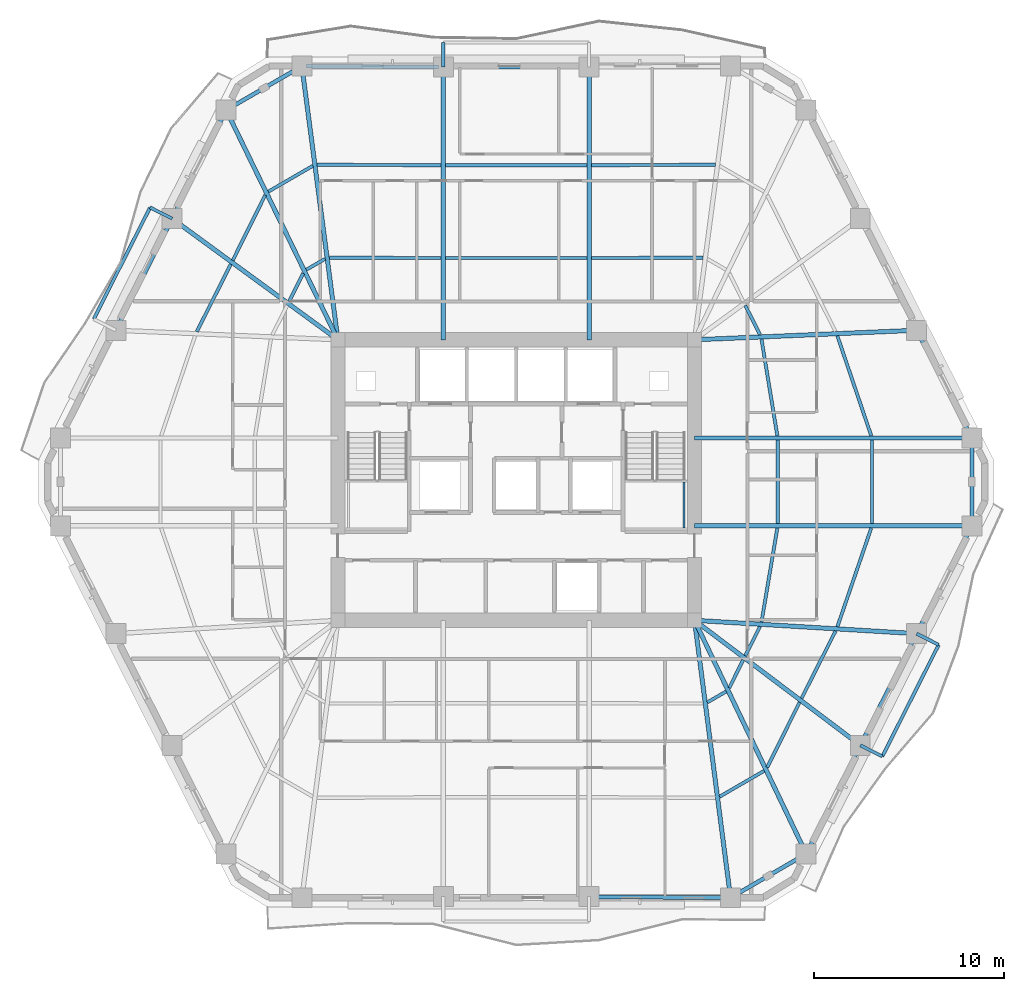
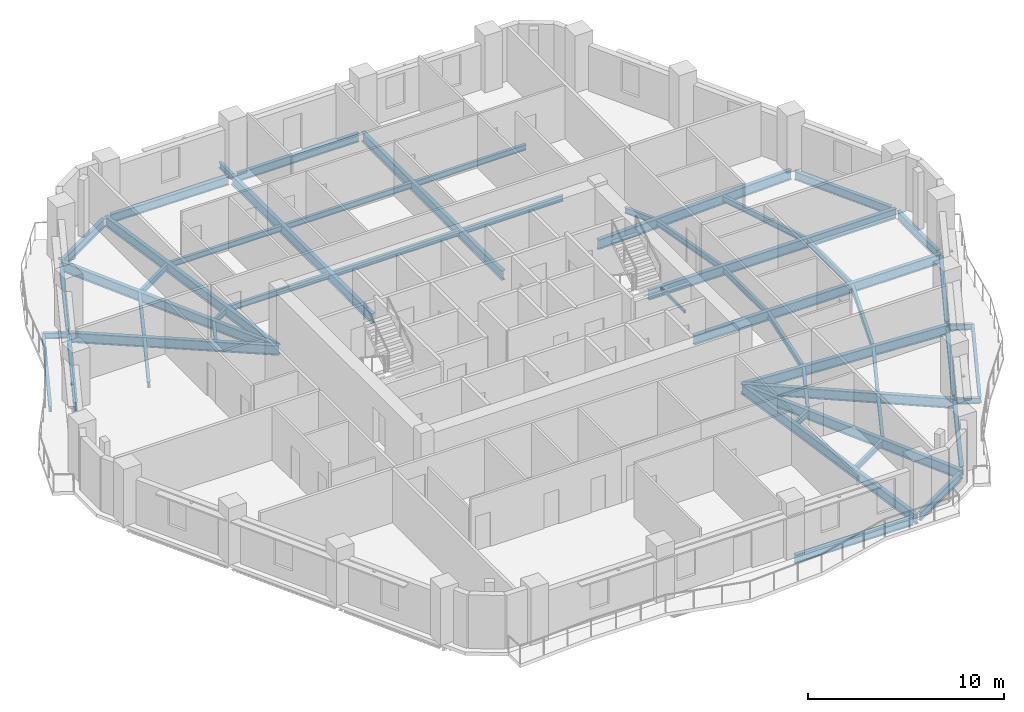
# One storey, part 2 of 12: 55 beams.
"""IFC4 building model written with IfcOpenShell, lengths in metres."""

import ifcopenshell
import ifcopenshell.guid

model = None  # the IFC model being written
_history = None  # IfcOwnerHistory: only IFC2X3 demands one
_inside = {}  # id of a spatial element -> (the spatial element, [elements in it])
_under = {}  # id of a project, library or spatial element -> (it, [spatial elements below it])
_declared = {}  # id of a project -> (the project, [libraries it declares])
_typed = {}  # id of a type object -> (the type object, [elements of that type])
_made_of = {}  # id of a material, layer set ... -> (it, [elements and type objects made of it])


def new_model(schema):
    """Start an empty IFC model of exactly this schema.

    Asked for "IFC4X3", IfcOpenShell would pick the latest addendum, in which some entities
    have other attributes; the version numbers below select the first issue.
    IFC2X3 requires an IfcOwnerHistory on every rooted entity: one is made here for all.
    """
    global model, _history
    if schema == "IFC4X3":
        model = ifcopenshell.file(schema_version=(4, 3, 0, 0))
    else:
        model = ifcopenshell.file(schema=schema)
    _inside.clear()
    _under.clear()
    _declared.clear()
    _typed.clear()
    _made_of.clear()
    _history = None
    if model.schema == "IFC2X3":
        org = make("IfcOrganization", Name="unknown")
        user = make(
            "IfcPersonAndOrganization",
            ThePerson=make("IfcPerson", FamilyName="unknown"),
            TheOrganization=org,
        )
        app = make(
            "IfcApplication",
            ApplicationDeveloper=org,
            Version="unknown",
            ApplicationFullName="unknown",
            ApplicationIdentifier="unknown",
        )
        _history = make(
            "IfcOwnerHistory",
            OwningUser=user,
            OwningApplication=app,
            ChangeAction="ADDED",
            CreationDate=0,
        )
    return model


def make(cls, **values):
    """One entity of the class cls with the attributes given. An attribute that is None is left unset."""
    return model.create_entity(
        cls, **{name: value for name, value in values.items() if value is not None}
    )


def rooted(cls, **values):
    """An entity with a GlobalId (a new one), such as an element, a storey or a relation."""
    return make(cls, GlobalId=ifcopenshell.guid.new(), OwnerHistory=_history, **values)


def si_unit(unit_type, name, prefix=None):
    """IfcSIUnit, for example si_unit("LENGTHUNIT", "METRE", prefix="MILLI")."""
    return make("IfcSIUnit", UnitType=unit_type, Prefix=prefix, Name=name)


def assignment(units):
    """IfcUnitAssignment: the units of a project."""
    return None if units is None else make("IfcUnitAssignment", Units=units)


def point(xyz):
    """IfcCartesianPoint."""
    return None if xyz is None else make("IfcCartesianPoint", Coordinates=xyz)


def direction(xyz):
    """IfcDirection."""
    return None if xyz is None else make("IfcDirection", DirectionRatios=xyz)


def frame(location, z_axis=None, x_axis=None):
    """IfcAxis2Placement3D, a coordinate frame: its origin and axes. An axis left out is left unset."""
    return make(
        "IfcAxis2Placement3D",
        Location=point(location),
        Axis=direction(z_axis),
        RefDirection=direction(x_axis),
    )


def frame_2d(location, x_axis=None):
    """IfcAxis2Placement2D, a coordinate frame in the plane: its origin and x axis."""
    return make(
        "IfcAxis2Placement2D", Location=point(location), RefDirection=direction(x_axis)
    )


def origin():
    """The frame at (0, 0, 0) with its axes left unset."""
    return frame((0.0, 0.0, 0.0))


def origin_2d():
    """The frame at (0, 0) in the plane with its x axis left unset."""
    return frame_2d((0.0, 0.0))


def place(relative_to, where):
    """IfcLocalPlacement: puts the frame where relative to a parent placement (None: the world)."""
    return make(
        "IfcLocalPlacement", PlacementRelTo=relative_to, RelativePlacement=where
    )


def context(
    kind, dimensions, precision=None, world=None, true_north=None, identifier=None
):
    """IfcGeometricRepresentationContext, for example the 3D "Model" context."""
    return make(
        "IfcGeometricRepresentationContext",
        ContextIdentifier=identifier,
        ContextType=kind,
        CoordinateSpaceDimension=dimensions,
        Precision=precision,
        WorldCoordinateSystem=world,
        TrueNorth=true_north,
    )


def subcontext(parent, identifier, kind, view, scale=None):
    """IfcGeometricRepresentationSubContext, for example "Body" below "Model"."""
    return make(
        "IfcGeometricRepresentationSubContext",
        ContextIdentifier=identifier,
        ContextType=kind,
        ParentContext=parent,
        TargetScale=scale,
        TargetView=view,
    )


def project(units=None, contexts=None):
    """IfcProject with its units and contexts."""
    return rooted(
        "IfcProject",
        Name="project",
        RepresentationContexts=contexts,
        UnitsInContext=assignment(units),
    )


def spatial(cls, under=None, at=None, **own):
    """A site, building, storey or space (cls), placed at a placement, below another one or the project."""
    s = rooted(cls, ObjectPlacement=at, **own)
    if under is not None:
        _under.setdefault(under.id(), (under, []))[1].append(s)
    return s


def profile(cls, at=None, kind="AREA", **sizes):
    """A parametric profile (cls). Its sizes go by their IFC names, for example OverallWidth=200.0."""
    return make(cls, ProfileType=kind, Position=at, **sizes)


def hollow_rectangle(**sizes):
    """IfcRectangleHollowProfileDef."""
    return profile("IfcRectangleHollowProfileDef", **sizes)


def i_section(**sizes):
    """IfcIShapeProfileDef."""
    return profile("IfcIShapeProfileDef", **sizes)


def extrude(swept, where, along, depth):
    """IfcExtrudedAreaSolid: the profile swept, set in the frame where, extruded along a direction by depth."""
    return make(
        "IfcExtrudedAreaSolid",
        SweptArea=swept,
        Position=where,
        ExtrudedDirection=direction(along),
        Depth=depth,
    )


def shape(context_of_items, identifier, shape_type, items):
    """IfcShapeRepresentation: the items that make up one representation, for example the "Body"."""
    return make(
        "IfcShapeRepresentation",
        ContextOfItems=context_of_items,
        RepresentationIdentifier=identifier,
        RepresentationType=shape_type,
        Items=items,
    )


def material(Name=None, Category=None):
    """IfcMaterial."""
    return make("IfcMaterial", Name=Name, Category=Category)


def material_profile(
    of_material, cross_section, Name=None, Category=None, Priority=None
):
    """IfcMaterialProfile: a cross section and its material."""
    return make(
        "IfcMaterialProfile",
        Name=Name,
        Material=of_material,
        Profile=cross_section,
        Priority=Priority,
        Category=Category,
    )


def profile_set(profiles, Name=None, composite=None):
    """IfcMaterialProfileSet."""
    return make(
        "IfcMaterialProfileSet",
        Name=Name,
        MaterialProfiles=profiles,
        CompositeProfile=composite,
    )


def made_of(thing, what):
    """Note that an element or type object is made of a material, layer set ...; save() writes the relation."""
    if what is not None:
        _made_of.setdefault(what.id(), (what, []))[1].append(thing)
    return thing


def type_object(cls, material=None, **own):
    """A type object (cls), such as IfcWallType, which elements share."""
    return made_of(rooted(cls, **own), material)


def element(
    cls,
    number,
    at=None,
    inside=None,
    cuts=None,
    type_object=None,
    material=None,
    context=None,
    identifier="Body",
    shape_type=None,
    held_by="IfcProductDefinitionShape",
    body=None,
    shapes=None,
    **own,
):
    """One element of the class cls, such as IfcWall. Its Tag is "e" and its number.

    at: its placement. inside: the storey or other place that contains it. cuts: it is an
    opening in that element (IfcRelVoidsElement). A single representation is given by context,
    identifier, shape_type and body (its items); several are given by shapes. held_by: the class
    of the entity that holds the representations. save() writes the other relations.
    """
    e = rooted(cls, Tag="e%d" % number, ObjectPlacement=at, **own)
    if body is not None:
        shapes = [shape(context, identifier, shape_type, body)]
    if shapes is not None:
        e.Representation = make(held_by, Representations=shapes)
    if inside is not None:
        _inside.setdefault(inside.id(), (inside, []))[1].append(e)
    if cuts is not None:
        rooted(
            "IfcRelVoidsElement", RelatingBuildingElement=cuts, RelatedOpeningElement=e
        )
    if type_object is not None:
        _typed.setdefault(type_object.id(), (type_object, []))[1].append(e)
    return made_of(e, material)


def aggregate(whole, parts):
    """IfcRelAggregates: a whole, such as a stair, and the parts it consists of."""
    return rooted("IfcRelAggregates", RelatingObject=whole, RelatedObjects=parts)


def save(model, path):
    """Write the relations noted so far, then the file.

    IfcRelAggregates (storeys below a building ...), IfcRelContainedInSpatialStructure (elements
    in a storey), IfcRelDefinesByType, IfcRelAssociatesMaterial and IfcRelDeclares: one each for
    every whole, place, type object, material and project.
    """
    for whole, parts in _under.values():
        aggregate(whole, parts)
    for where, things in _inside.values():
        rooted(
            "IfcRelContainedInSpatialStructure",
            RelatedElements=things,
            RelatingStructure=where,
        )
    for kind, things in _typed.values():
        rooted("IfcRelDefinesByType", RelatedObjects=things, RelatingType=kind)
    for what, things in _made_of.values():
        rooted("IfcRelAssociatesMaterial", RelatedObjects=things, RelatingMaterial=what)
    for by, libraries in _declared.values():
        rooted("IfcRelDeclares", RelatingContext=by, RelatedDefinitions=libraries)
    model.write(path)


model = new_model("IFC4")

# Units and contexts
model_context = context("Model", 3, precision=1e-05, world=origin(), true_north=direction((0.0, 1.0)))
body_context = subcontext(model_context, "Body", "Model", "MODEL_VIEW")
ifc_project = project(units=[si_unit("LENGTHUNIT", "METRE"), si_unit("AREAUNIT", "SQUARE_METRE"), si_unit("VOLUMEUNIT", "CUBIC_METRE"), si_unit("PLANEANGLEUNIT", "RADIAN"), si_unit("MASSUNIT", "GRAM", prefix="KILO")], contexts=[model_context])

# Site, building, storey
site_placement = place(None, origin())
site = spatial("IfcSite", under=ifc_project, at=site_placement, CompositionType="ELEMENT")
building_placement = place(site_placement, origin())
building = spatial("IfcBuilding", under=site, at=building_placement, Name="Cinnabar Lancet Tower", CompositionType="ELEMENT")
storey_placement = place(building_placement, frame((0.0, 0.0, 141.0)))
storey = spatial("IfcBuildingStorey", under=building, at=storey_placement, Name="L37", CompositionType="ELEMENT", Elevation=141.0)

# Beams
ifc_material_1 = material(Name="Structural steel S355", Category="steel")
ifc_material_profile_1 = material_profile(ifc_material_1, i_section(OverallWidth=0.17138671875, OverallDepth=0.35498046875, WebThickness=0.00732421875, FlangeThickness=0.011474609375, FilletRadius=0.01025390625, at=origin_2d()), Name="UKB 356x171x51")
ifc_profile_set_1 = profile_set([ifc_material_profile_1], Name="Structural steel S355")
beam_type_1 = type_object("IfcBeamType", Name="STR-BM-JST-356", PredefinedType="JOIST", material=ifc_profile_set_1)
beam_1_placement = place(storey_placement, frame((43.093994140625, 9.251953125, -0.387939453125), z_axis=(0.865172906898, 0.501473669469, 0.0), x_axis=(-0.501473669469, 0.865172906898, 0.0)))
element("IfcBeam", 1, at=beam_1_placement, inside=storey, type_object=beam_type_1, Name="L37 Secondary Floor Joist 15", PredefinedType="JOIST", context=body_context, shape_type="SweptSolid", body=[
    extrude(i_section(OverallWidth=0.17138671875, OverallDepth=0.35498046875, WebThickness=0.00732421875, FlangeThickness=0.011474609375, FilletRadius=0.01025390625, at=origin_2d()), origin(), (0.0, 0.0, 1.0), 2.705810546875),
])
beam_2_placement = place(storey_placement, frame((42.449951171875, 14.2109375, -0.387939453125), z_axis=(0.865055308165, 0.501676503154, 0.0), x_axis=(-0.501676503154, 0.865055308165, 0.0)))
element("IfcBeam", 2, at=beam_2_placement, inside=storey, type_object=beam_type_1, Name="L37 Secondary Floor Joist 16", PredefinedType="JOIST", context=body_context, shape_type="SweptSolid", body=[
    extrude(i_section(OverallWidth=0.17138671875, OverallDepth=0.35498046875, WebThickness=0.00732421875, FlangeThickness=0.011474609375, FilletRadius=0.01025390625, at=origin_2d()), origin(), (0.0, 0.0, 1.0), 1.14208984375),
])
beam_3_placement = place(storey_placement, frame((45.59912109375, 10.7958984375, -0.387939453125), z_axis=(0.445295120803, 0.895383859241, 0.0), x_axis=(-0.895383859241, 0.445295120803, 0.0)))
element("IfcBeam", 3, at=beam_3_placement, inside=storey, type_object=beam_type_1, Name="L37 Secondary Floor Joist 17", PredefinedType="JOIST", context=body_context, shape_type="SweptSolid", body=[
    extrude(i_section(OverallWidth=0.17138671875, OverallDepth=0.35498046875, WebThickness=0.00732421875, FlangeThickness=0.011474609375, FilletRadius=0.01025390625, at=origin_2d()), origin(), (0.0, 0.0, 1.0), 3.81982421875),
])
beam_4_placement = place(storey_placement, frame((43.60205078125, 14.970947265625, -0.387939453125), z_axis=(0.44543923568, 0.895312173109, 0.0), x_axis=(-0.895312173109, 0.44543923568, 0.0)))
element("IfcBeam", 4, at=beam_4_placement, inside=storey, type_object=beam_type_1, Name="L37 Secondary Floor Joist 18", PredefinedType="JOIST", context=body_context, shape_type="SweptSolid", body=[
    extrude(i_section(OverallWidth=0.17138671875, OverallDepth=0.35498046875, WebThickness=0.00732421875, FlangeThickness=0.011474609375, FilletRadius=0.01025390625, at=origin_2d()), origin(), (0.0, 0.0, 1.0), 1.65185546875),
])
beam_5_placement = place(storey_placement, frame((47.404052734375, 14.424072265625, -0.387939453125), z_axis=(0.450706028652, 0.892672434736, 0.0), x_axis=(-0.892672434736, 0.450706028652, 0.0)))
element("IfcBeam", 5, at=beam_5_placement, inside=storey, type_object=beam_type_1, Name="L37 Secondary Floor Joist 19", PredefinedType="JOIST", context=body_context, shape_type="SweptSolid", body=[
    extrude(i_section(OverallWidth=0.17138671875, OverallDepth=0.35498046875, WebThickness=0.00732421875, FlangeThickness=0.011474609375, FilletRadius=0.01025390625, at=origin_2d()), origin(), (0.0, 0.0, 1.0), 3.966796875),
])
beam_6_placement = place(storey_placement, frame((44.44091796875, 16.657958984375, -0.387939453125), z_axis=(0.450874341268, 0.892587434589, 0.0), x_axis=(-0.892587434589, 0.450874341268, 0.0)))
element("IfcBeam", 6, at=beam_6_placement, inside=storey, type_object=beam_type_1, Name="L37 Secondary Floor Joist 20", PredefinedType="JOIST", context=body_context, shape_type="SweptSolid", body=[
    extrude(i_section(OverallWidth=0.17138671875, OverallDepth=0.35498046875, WebThickness=0.00732421875, FlangeThickness=0.011474609375, FilletRadius=0.01025390625, at=origin_2d()), origin(), (0.0, 0.0, 1.0), 1.732177734375),
])
beam_7_placement = place(storey_placement, frame((49.287109375, 18.18798828125, -0.387939453125), z_axis=(0.324639458548, 0.945837841257, 0.0), x_axis=(-0.945837841257, 0.324639458548, 0.0)))
element("IfcBeam", 7, at=beam_7_placement, inside=storey, type_object=beam_type_1, Name="L37 Secondary Floor Joist 21", PredefinedType="JOIST", context=body_context, shape_type="SweptSolid", body=[
    extrude(i_section(OverallWidth=0.17138671875, OverallDepth=0.35498046875, WebThickness=0.00732421875, FlangeThickness=0.011474609375, FilletRadius=0.01025390625, at=origin_2d()), origin(), (0.0, 0.0, 1.0), 5.486083984375),
])
beam_8_placement = place(storey_placement, frame((45.297119140625, 18.427978515625, -0.387939453125), z_axis=(0.165937104691, 0.986136338082, 0.0), x_axis=(-0.986136338082, 0.165937104691, 0.0)))
element("IfcBeam", 8, at=beam_8_placement, inside=storey, type_object=beam_type_1, Name="L37 Secondary Floor Joist 22", PredefinedType="JOIST", context=body_context, shape_type="SweptSolid", body=[
    extrude(i_section(OverallWidth=0.17138671875, OverallDepth=0.35498046875, WebThickness=0.00732421875, FlangeThickness=0.011474609375, FilletRadius=0.01025390625, at=origin_2d()), origin(), (0.0, 0.0, 1.0), 5.0185546875),
])
for number, where, z_axis, x_axis, name in (
    (9, (51.10693359375, 23.60498046875, -0.387939453125), (0.0, 1.0, 0.0), (-1.0, 0.0, 0.0), "L37 Secondary Floor Joist 23"),
    (10, (46.14990234375, 23.60498046875, -0.387939453125), (0.0, 1.0, 0.0), (-1.0, 0.0, 0.0), "L37 Secondary Floor Joist 24"),
):
    element("IfcBeam", number, at=place(storey_placement, frame(where, z_axis=z_axis, x_axis=x_axis)), inside=storey, type_object=beam_type_1, Name=name, PredefinedType="JOIST", context=body_context, shape_type="SweptSolid", body=[
        extrude(i_section(OverallWidth=0.17138671875, OverallDepth=0.35498046875, WebThickness=0.00732421875, FlangeThickness=0.011474609375, FilletRadius=0.01025390625, at=origin_2d()), origin(), (0.0, 0.0, 1.0), 4.39013671875),
    ])
beam_9_placement = place(storey_placement, frame((51.069091796875, 28.222900390625, -0.387939453125), z_axis=(-0.321063338019, 0.947057724207, 0.0), x_axis=(-0.947057724207, -0.321063338019, 0.0)))
element("IfcBeam", 11, at=beam_9_placement, inside=storey, type_object=beam_type_1, Name="L37 Secondary Floor Joist 25", PredefinedType="JOIST", context=body_context, shape_type="SweptSolid", body=[
    extrude(i_section(OverallWidth=0.17138671875, OverallDepth=0.35498046875, WebThickness=0.00732421875, FlangeThickness=0.011474609375, FilletRadius=0.01025390625, at=origin_2d()), origin(), (0.0, 0.0, 1.0), 5.553955078125),
])
beam_10_placement = place(storey_placement, frame((46.131103515625, 28.222900390625, -0.387939453125), z_axis=(-0.161719098977, 0.986836832017, 0.0), x_axis=(-0.986836832017, -0.161719098977, 0.0)))
element("IfcBeam", 12, at=beam_10_placement, inside=storey, type_object=beam_type_1, Name="L37 Secondary Floor Joist 26", PredefinedType="JOIST", context=body_context, shape_type="SweptSolid", body=[
    extrude(i_section(OverallWidth=0.17138671875, OverallDepth=0.35498046875, WebThickness=0.00732421875, FlangeThickness=0.011474609375, FilletRadius=0.01025390625, at=origin_2d()), origin(), (0.0, 0.0, 1.0), 5.156982421875),
])
beam_11_placement = place(storey_placement, frame((45.221923828125, 33.537109375, -0.387939453125), z_axis=(-0.450931068976, 0.892558777354, 0.0), x_axis=(-0.892558777354, -0.450931068976, 0.0)))
element("IfcBeam", 13, at=beam_11_placement, inside=storey, type_object=beam_type_1, Name="L37 Secondary Floor Joist 28", PredefinedType="JOIST", context=body_context, shape_type="SweptSolid", body=[
    extrude(i_section(OverallWidth=0.17138671875, OverallDepth=0.35498046875, WebThickness=0.00732421875, FlangeThickness=0.011474609375, FilletRadius=0.01025390625, at=origin_2d()), origin(), (0.0, 0.0, 1.0), 1.73193359375),
])
beam_12_placement = place(storey_placement, frame((42.8720703125, 42.48095703125, -0.387939453125), z_axis=(-0.999987991898, -0.004900618269, 0.0), x_axis=(0.004900618269, -0.999987991898, 0.0)))
element("IfcBeam", 14, at=beam_12_placement, inside=storey, type_object=beam_type_1, Name="L37 Secondary Floor Joist 33", PredefinedType="JOIST", context=body_context, shape_type="SweptSolid", body=[
    extrude(i_section(OverallWidth=0.17138671875, OverallDepth=0.35498046875, WebThickness=0.00732421875, FlangeThickness=0.011474609375, FilletRadius=0.01025390625, at=origin_2d()), origin(), (0.0, 0.0, 1.0), 6.526123046875),
])
beam_13_placement = place(storey_placement, frame((42.22802734375, 37.591064453125, -0.387939453125), z_axis=(-0.999996247906, -0.002739374605, 0.0), x_axis=(0.002739374605, -0.999996247906, 0.0)))
element("IfcBeam", 15, at=beam_13_placement, inside=storey, type_object=beam_type_1, Name="L37 Secondary Floor Joist 34", PredefinedType="JOIST", context=body_context, shape_type="SweptSolid", body=[
    extrude(i_section(OverallWidth=0.17138671875, OverallDepth=0.35498046875, WebThickness=0.00732421875, FlangeThickness=0.011474609375, FilletRadius=0.01025390625, at=origin_2d()), origin(), (0.0, 0.0, 1.0), 5.882080078125),
])
for number, where, z_axis, x_axis, name in (
    (16, (36.117919921875, 42.447998046875, -0.387939453125), (-1.0, 0.0, 0.0), (0.0, -1.0, 0.0), "L37 Secondary Floor Joist 35"),
    (17, (36.117919921875, 37.574951171875, -0.387939453125), (-1.0, 0.0, 0.0), (0.0, -1.0, 0.0), "L37 Secondary Floor Joist 36"),
):
    element("IfcBeam", number, at=place(storey_placement, frame(where, z_axis=z_axis, x_axis=x_axis)), inside=storey, type_object=beam_type_1, Name=name, PredefinedType="JOIST", context=body_context, shape_type="SweptSolid", body=[
        extrude(i_section(OverallWidth=0.17138671875, OverallDepth=0.35498046875, WebThickness=0.00732421875, FlangeThickness=0.011474609375, FilletRadius=0.01025390625, at=origin_2d()), origin(), (0.0, 0.0, 1.0), 7.43603515625),
    ])
beam_14_placement = place(storey_placement, frame((28.4541015625, 42.448974609375, -0.387939453125), z_axis=(-0.999987991898, 0.004900618269, 0.0), x_axis=(-0.004900618269, -0.999987991898, 0.0)))
element("IfcBeam", 18, at=beam_14_placement, inside=storey, type_object=beam_type_1, Name="L37 Secondary Floor Joist 37", PredefinedType="JOIST", context=body_context, shape_type="SweptSolid", body=[
    extrude(i_section(OverallWidth=0.17138671875, OverallDepth=0.35498046875, WebThickness=0.00732421875, FlangeThickness=0.011474609375, FilletRadius=0.01025390625, at=origin_2d()), origin(), (0.0, 0.0, 1.0), 6.526123046875),
])
beam_15_placement = place(storey_placement, frame((28.4541015625, 37.574951171875, -0.387939453125), z_axis=(-0.999996247906, 0.002739374605, 0.0), x_axis=(-0.002739374605, -0.999996247906, 0.0)))
element("IfcBeam", 19, at=beam_15_placement, inside=storey, type_object=beam_type_1, Name="L37 Secondary Floor Joist 38", PredefinedType="JOIST", context=body_context, shape_type="SweptSolid", body=[
    extrude(i_section(OverallWidth=0.17138671875, OverallDepth=0.35498046875, WebThickness=0.00732421875, FlangeThickness=0.011474609375, FilletRadius=0.01025390625, at=origin_2d()), origin(), (0.0, 0.0, 1.0), 5.882080078125),
])
beam_16_placement = place(storey_placement, frame((21.7060546875, 42.419921875, -0.387939453125), z_axis=(-0.865172906898, -0.501473669469, 0.0), x_axis=(0.501473669469, -0.865172906898, 0.0)))
element("IfcBeam", 20, at=beam_16_placement, inside=storey, type_object=beam_type_1, Name="L37 Secondary Floor Joist 39", PredefinedType="JOIST", context=body_context, shape_type="SweptSolid", body=[
    extrude(i_section(OverallWidth=0.17138671875, OverallDepth=0.35498046875, WebThickness=0.00732421875, FlangeThickness=0.011474609375, FilletRadius=0.01025390625, at=origin_2d()), origin(), (0.0, 0.0, 1.0), 2.705810546875),
])
beam_17_placement = place(storey_placement, frame((22.35009765625, 37.529052734375, -0.387939453125), z_axis=(-0.865055308165, -0.501676503154, 0.0), x_axis=(0.501676503154, -0.865055308165, 0.0)))
element("IfcBeam", 21, at=beam_17_placement, inside=storey, type_object=beam_type_1, Name="L37 Secondary Floor Joist 40", PredefinedType="JOIST", context=body_context, shape_type="SweptSolid", body=[
    extrude(i_section(OverallWidth=0.17138671875, OverallDepth=0.35498046875, WebThickness=0.00732421875, FlangeThickness=0.011474609375, FilletRadius=0.01025390625, at=origin_2d()), origin(), (0.0, 0.0, 1.0), 1.14208984375),
])
beam_18_placement = place(storey_placement, frame((19.200927734375, 40.876953125, -0.387939453125), z_axis=(-0.445116798807, -0.895472520751, 0.0), x_axis=(0.895472520751, -0.445116798807, 0.0)))
element("IfcBeam", 22, at=beam_18_placement, inside=storey, type_object=beam_type_1, Name="L37 Secondary Floor Joist 41", PredefinedType="JOIST", context=body_context, shape_type="SweptSolid", body=[
    extrude(i_section(OverallWidth=0.17138671875, OverallDepth=0.35498046875, WebThickness=0.00732421875, FlangeThickness=0.011474609375, FilletRadius=0.01025390625, at=origin_2d()), origin(), (0.0, 0.0, 1.0), 3.8212890625),
])
beam_19_placement = place(storey_placement, frame((21.198974609375, 36.77001953125, -0.387939453125), z_axis=(-0.445795466264, -0.895134851438, 0.0), x_axis=(0.895134851438, -0.445795466264, 0.0)))
element("IfcBeam", 23, at=beam_19_placement, inside=storey, type_object=beam_type_1, Name="L37 Secondary Floor Joist 42", PredefinedType="JOIST", context=body_context, shape_type="SweptSolid", body=[
    extrude(i_section(OverallWidth=0.17138671875, OverallDepth=0.35498046875, WebThickness=0.00732421875, FlangeThickness=0.011474609375, FilletRadius=0.01025390625, at=origin_2d()), origin(), (0.0, 0.0, 1.0), 1.6533203125),
])
beam_20_placement = place(storey_placement, frame((17.39599609375, 37.2490234375, -0.387939453125), z_axis=(-0.450656035687, -0.892697674187, 0.0), x_axis=(0.892697674187, -0.450656035687, 0.0)))
element("IfcBeam", 24, at=beam_20_placement, inside=storey, type_object=beam_type_1, Name="L37 Secondary Floor Joist 43", PredefinedType="JOIST", context=body_context, shape_type="SweptSolid", body=[
    extrude(i_section(OverallWidth=0.17138671875, OverallDepth=0.35498046875, WebThickness=0.00732421875, FlangeThickness=0.011474609375, FilletRadius=0.01025390625, at=origin_2d()), origin(), (0.0, 0.0, 1.0), 3.9677734375),
])
ifc_material_2 = material(Name="Structural steel S355", Category="steel")
ifc_material_profile_2 = material_profile(ifc_material_2, hollow_rectangle(XDim=0.10009765625, YDim=0.199951171875, WallThickness=0.008056640625, InnerFilletRadius=0.00390625, OuterFilletRadius=0.011962890625, at=origin_2d()), Name="RHS 200x100x8")
ifc_profile_set_2 = profile_set([ifc_material_profile_2], Name="Structural steel S355")
beam_type_2 = type_object("IfcBeamType", Name="STR-BM-LND-203", PredefinedType="BEAM", material=ifc_profile_set_2)
beam_21_placement = place(storey_placement, frame((41.219970703125, 23.3798828125, 1.47509765625), z_axis=(0.0, 1.0, 0.0), x_axis=(-1.0, 0.0, 0.0)))
element("IfcBeam", 25, at=beam_21_placement, inside=storey, type_object=beam_type_2, Name="L37 ST-2-L37 Landing Side Trimmer Beam", PredefinedType="BEAM", context=body_context, shape_type="SweptSolid", body=[
    extrude(hollow_rectangle(XDim=0.10009765625, YDim=0.199951171875, WallThickness=0.008056640625, InnerFilletRadius=0.00390625, OuterFilletRadius=0.011962890625, at=origin_2d()), origin(), (0.0, 0.0, 1.0), 2.4150390625),
])
ifc_material_3 = material(Name="Structural steel S355", Category="steel")
ifc_material_profile_3 = material_profile(ifc_material_3, i_section(OverallWidth=0.209228515625, OverallDepth=0.533203125, WebThickness=0.010009765625, FlangeThickness=0.015625, FilletRadius=0.0126953125, at=origin_2d()), Name="UKB 533x210x92")
ifc_profile_set_3 = profile_set([ifc_material_profile_3], Name="Structural steel S355")
beam_type_3 = type_object("IfcBeamType", Name="STR-BM-SPN-533", PredefinedType="SPANDREL", material=ifc_profile_set_3)
beam_22_placement = place(storey_placement, frame((36.48193359375, 3.989990234375, -0.47705078125), z_axis=(0.999974980359, -0.007073800628, 0.0), x_axis=(0.007073800628, 0.999974980359, 0.0)))
element("IfcBeam", 26, at=beam_22_placement, inside=storey, type_object=beam_type_3, Name="L37 Perimeter Spandrel 3", PredefinedType="SPANDREL", context=body_context, shape_type="SweptSolid", body=[
    extrude(i_section(OverallWidth=0.209228515625, OverallDepth=0.533203125, WebThickness=0.010009765625, FlangeThickness=0.015625, FilletRadius=0.0126953125, at=origin_2d()), origin(), (0.0, 0.0, 1.0), 6.937255859375),
])
beam_23_placement = place(storey_placement, frame((43.885009765625, 4.06396484375, -0.47705078125), z_axis=(0.865112299906, 0.501578217781, 0.0), x_axis=(-0.501578217781, 0.865112299906, 0.0)))
element("IfcBeam", 27, at=beam_23_placement, inside=storey, type_object=beam_type_3, Name="L37 Perimeter Spandrel 4", PredefinedType="SPANDREL", context=body_context, shape_type="SweptSolid", body=[
    extrude(i_section(OverallWidth=0.209228515625, OverallDepth=0.533203125, WebThickness=0.010009765625, FlangeThickness=0.015625, FilletRadius=0.0126953125, at=origin_2d()), origin(), (0.0, 0.0, 1.0), 4.101318359375),
])
beam_24_placement = place(storey_placement, frame((47.760009765625, 6.469970703125, -0.47705078125), z_axis=(0.445501068635, 0.89528140707, 0.0), x_axis=(-0.89528140707, 0.445501068635, 0.0)))
element("IfcBeam", 28, at=beam_24_placement, inside=storey, type_object=beam_type_3, Name="L37 Perimeter Spandrel 5", PredefinedType="SPANDREL", context=body_context, shape_type="SweptSolid", body=[
    extrude(i_section(OverallWidth=0.209228515625, OverallDepth=0.533203125, WebThickness=0.010009765625, FlangeThickness=0.015625, FilletRadius=0.0126953125, at=origin_2d()), origin(), (0.0, 0.0, 1.0), 5.87646484375),
])
beam_25_placement = place(storey_placement, frame((50.60205078125, 12.177978515625, -0.47705078125), z_axis=(0.450570325924, 0.892740937449, 0.0), x_axis=(-0.892740937449, 0.450570325924, 0.0)))
element("IfcBeam", 29, at=beam_25_placement, inside=storey, type_object=beam_type_3, Name="L37 Perimeter Spandrel 6", PredefinedType="SPANDREL", context=body_context, shape_type="SweptSolid", body=[
    extrude(i_section(OverallWidth=0.209228515625, OverallDepth=0.533203125, WebThickness=0.010009765625, FlangeThickness=0.015625, FilletRadius=0.0126953125, at=origin_2d()), origin(), (0.0, 0.0, 1.0), 6.07470703125),
])
beam_26_placement = place(storey_placement, frame((53.56591796875, 18.0458984375, -0.47705078125), z_axis=(0.456109733574, 0.889923542187, 0.0), x_axis=(-0.889923542187, 0.456109733574, 0.0)))
element("IfcBeam", 30, at=beam_26_placement, inside=storey, type_object=beam_type_3, Name="L37 Perimeter Spandrel 7", PredefinedType="SPANDREL", context=body_context, shape_type="SweptSolid", body=[
    extrude(i_section(OverallWidth=0.209228515625, OverallDepth=0.533203125, WebThickness=0.010009765625, FlangeThickness=0.015625, FilletRadius=0.0126953125, at=origin_2d()), origin(), (0.0, 0.0, 1.0), 5.869140625),
])
beam_27_placement = place(storey_placement, frame((56.35693359375, 23.740966796875, -0.47705078125), z_axis=(0.0, 1.0, 0.0), x_axis=(-1.0, 0.0, 0.0)))
element("IfcBeam", 31, at=beam_27_placement, inside=storey, type_object=beam_type_3, Name="L37 Perimeter Spandrel 8", PredefinedType="SPANDREL", context=body_context, shape_type="SweptSolid", body=[
    extrude(i_section(OverallWidth=0.209228515625, OverallDepth=0.533203125, WebThickness=0.010009765625, FlangeThickness=0.015625, FilletRadius=0.0126953125, at=origin_2d()), origin(), (0.0, 0.0, 1.0), 4.117919921875),
])
beam_28_placement = place(storey_placement, frame((56.242919921875, 28.3310546875, -0.47705078125), z_axis=(-0.456126618405, 0.889914888055, 0.0), x_axis=(-0.889914888055, -0.456126618405, 0.0)))
element("IfcBeam", 32, at=beam_28_placement, inside=storey, type_object=beam_type_3, Name="L37 Perimeter Spandrel 9", PredefinedType="SPANDREL", context=body_context, shape_type="SweptSolid", body=[
    extrude(i_section(OverallWidth=0.209228515625, OverallDepth=0.533203125, WebThickness=0.010009765625, FlangeThickness=0.015625, FilletRadius=0.0126953125, at=origin_2d()), origin(), (0.0, 0.0, 1.0), 5.868896484375),
])
beam_29_placement = place(storey_placement, frame((35.98193359375, 47.60791015625, -0.47705078125), z_axis=(-1.0, 0.0, 0.0), x_axis=(0.0, -1.0, 0.0)))
element("IfcBeam", 33, at=beam_29_placement, inside=storey, type_object=beam_type_3, Name="L37 Perimeter Spandrel 14", PredefinedType="SPANDREL", context=body_context, shape_type="SweptSolid", body=[
    extrude(i_section(OverallWidth=0.209228515625, OverallDepth=0.533203125, WebThickness=0.010009765625, FlangeThickness=0.015625, FilletRadius=0.0126953125, at=origin_2d()), origin(), (0.0, 0.0, 1.0), 7.163818359375),
])
beam_30_placement = place(storey_placement, frame((28.318115234375, 47.610107421875, -0.47705078125), z_axis=(-0.999975228682, 0.007038609338, 0.0), x_axis=(-0.007038609338, -0.999975228682, 0.0)))
element("IfcBeam", 34, at=beam_30_placement, inside=storey, type_object=beam_type_3, Name="L37 Perimeter Spandrel 15", PredefinedType="SPANDREL", context=body_context, shape_type="SweptSolid", body=[
    extrude(i_section(OverallWidth=0.209228515625, OverallDepth=0.533203125, WebThickness=0.010009765625, FlangeThickness=0.015625, FilletRadius=0.0126953125, at=origin_2d()), origin(), (0.0, 0.0, 1.0), 6.937255859375),
])
beam_31_placement = place(storey_placement, frame((20.9150390625, 47.535888671875, -0.47705078125), z_axis=(-0.865138129765, -0.5015336643, 0.0), x_axis=(0.5015336643, -0.865138129765, 0.0)))
element("IfcBeam", 35, at=beam_31_placement, inside=storey, type_object=beam_type_3, Name="L37 Perimeter Spandrel 16", PredefinedType="SPANDREL", context=body_context, shape_type="SweptSolid", body=[
    extrude(i_section(OverallWidth=0.209228515625, OverallDepth=0.533203125, WebThickness=0.010009765625, FlangeThickness=0.015625, FilletRadius=0.0126953125, at=origin_2d()), origin(), (0.0, 0.0, 1.0), 4.10107421875),
])
beam_32_placement = place(storey_placement, frame((17.0400390625, 45.1298828125, -0.47705078125), z_axis=(-0.445501068635, -0.89528140707, 0.0), x_axis=(0.89528140707, -0.445501068635, 0.0)))
element("IfcBeam", 36, at=beam_32_placement, inside=storey, type_object=beam_type_3, Name="L37 Perimeter Spandrel 17", PredefinedType="SPANDREL", context=body_context, shape_type="SweptSolid", body=[
    extrude(i_section(OverallWidth=0.209228515625, OverallDepth=0.533203125, WebThickness=0.010009765625, FlangeThickness=0.015625, FilletRadius=0.0126953125, at=origin_2d()), origin(), (0.0, 0.0, 1.0), 5.87646484375),
])
beam_33_placement = place(storey_placement, frame((14.197998046875, 39.422119140625, -0.47705078125), z_axis=(-0.450570325924, -0.892740937449, 0.0), x_axis=(0.892740937449, -0.450570325924, 0.0)))
element("IfcBeam", 37, at=beam_33_placement, inside=storey, type_object=beam_type_3, Name="L37 Perimeter Spandrel 18", PredefinedType="SPANDREL", context=body_context, shape_type="SweptSolid", body=[
    extrude(i_section(OverallWidth=0.209228515625, OverallDepth=0.533203125, WebThickness=0.010009765625, FlangeThickness=0.015625, FilletRadius=0.0126953125, at=origin_2d()), origin(), (0.0, 0.0, 1.0), 6.07470703125),
])
ifc_material_4 = material(Name="Structural steel S355", Category="steel")
ifc_material_profile_4 = material_profile(ifc_material_4, i_section(OverallWidth=0.228271484375, OverallDepth=0.607666015625, WebThickness=0.010986328125, FlangeThickness=0.017333984375, FilletRadius=0.0126953125, at=origin_2d()), Name="UKB 610x229x113")
ifc_profile_set_4 = profile_set([ifc_material_profile_4], Name="Structural steel S355")
beam_type_4 = type_object("IfcBeamType", Name="STR-BM-UKB610-113", PredefinedType="BEAM", material=ifc_profile_set_4)
beam_34_placement = place(storey_placement, frame((50.489013671875, 11.955078125, -0.513916015625), z_axis=(-0.798491457835, 0.602006139308, 0.0), x_axis=(-0.602006139308, -0.798491457835, 0.0)))
element("IfcBeam", 38, at=beam_34_placement, inside=storey, type_object=beam_type_4, Name="L37 Corner Collector Girder 2", PredefinedType="BEAM", context=body_context, shape_type="SweptSolid", body=[
    extrude(i_section(OverallWidth=0.228271484375, OverallDepth=0.607666015625, WebThickness=0.010986328125, FlangeThickness=0.017333984375, FilletRadius=0.0126953125, at=origin_2d()), origin(), (0.0, 0.0, 1.0), 10.913330078125),
])
beam_35_placement = place(storey_placement, frame((14.31103515625, 39.64501953125, -0.513916015625), z_axis=(0.807289993592, -0.590154951048, 0.0), x_axis=(0.590154951048, 0.807289993592, 0.0)))
element("IfcBeam", 39, at=beam_35_placement, inside=storey, type_object=beam_type_4, Name="L37 Corner Collector Girder 4", PredefinedType="BEAM", context=body_context, shape_type="SweptSolid", body=[
    extrude(i_section(OverallWidth=0.228271484375, OverallDepth=0.607666015625, WebThickness=0.010986328125, FlangeThickness=0.017333984375, FilletRadius=0.0126953125, at=origin_2d()), origin(), (0.0, 0.0, 1.0), 10.7939453125),
])
beam_36_placement = place(storey_placement, frame((43.6689453125, 3.93896484375, -0.513916015625), z_axis=(-0.12877289353, 0.99167411073, 0.0), x_axis=(-0.99167411073, -0.12877289353, 0.0)))
element("IfcBeam", 40, at=beam_36_placement, inside=storey, type_object=beam_type_4, Name="L37 Primary Floor Girder 4", PredefinedType="BEAM", context=body_context, shape_type="SweptSolid", body=[
    extrude(i_section(OverallWidth=0.228271484375, OverallDepth=0.607666015625, WebThickness=0.010986328125, FlangeThickness=0.017333984375, FilletRadius=0.0126953125, at=origin_2d()), origin(), (0.0, 0.0, 1.0), 14.70849609375),
])
beam_37_placement = place(storey_placement, frame((47.64892578125, 6.24609375, -0.513916015625), z_axis=(-0.431548156881, 0.902089900339, 0.0), x_axis=(-0.902089900339, -0.431548156881, 0.0)))
element("IfcBeam", 41, at=beam_37_placement, inside=storey, type_object=beam_type_4, Name="L37 Primary Floor Girder 5", PredefinedType="BEAM", context=body_context, shape_type="SweptSolid", body=[
    extrude(i_section(OverallWidth=0.228271484375, OverallDepth=0.607666015625, WebThickness=0.010986328125, FlangeThickness=0.017333984375, FilletRadius=0.0126953125, at=origin_2d()), origin(), (0.0, 0.0, 1.0), 13.611572265625),
])
beam_38_placement = place(storey_placement, frame((53.451904296875, 17.823974609375, -0.513916015625), z_axis=(-0.998203272991, 0.059918492897, 0.0), x_axis=(-0.059918492897, -0.998203272991, 0.0)))
element("IfcBeam", 42, at=beam_38_placement, inside=storey, type_object=beam_type_4, Name="L37 Primary Floor Girder 7", PredefinedType="BEAM", context=body_context, shape_type="SweptSolid", body=[
    extrude(i_section(OverallWidth=0.228271484375, OverallDepth=0.607666015625, WebThickness=0.010986328125, FlangeThickness=0.017333984375, FilletRadius=0.0126953125, at=origin_2d()), origin(), (0.0, 0.0, 1.0), 11.697998046875),
])
for number, where, z_axis, x_axis, name in (
    (43, (56.35693359375, 23.490966796875, -0.513916015625), (-1.0, 0.0, 0.0), (0.0, -1.0, 0.0), "L37 Primary Floor Girder 8"),
    (44, (56.35693359375, 28.10888671875, -0.513916015625), (-1.0, 0.0, 0.0), (0.0, -1.0, 0.0), "L37 Primary Floor Girder 9"),
):
    element("IfcBeam", number, at=place(storey_placement, frame(where, z_axis=z_axis, x_axis=x_axis)), inside=storey, type_object=beam_type_4, Name=name, PredefinedType="BEAM", context=body_context, shape_type="SweptSolid", body=[
        extrude(i_section(OverallWidth=0.228271484375, OverallDepth=0.607666015625, WebThickness=0.010986328125, FlangeThickness=0.017333984375, FilletRadius=0.0126953125, at=origin_2d()), origin(), (0.0, 0.0, 1.0), 14.58203125),
    ])
beam_39_placement = place(storey_placement, frame((53.451904296875, 33.77587890625, -0.513916015625), z_axis=(-0.999080941658, -0.042863411158, 0.0), x_axis=(0.042863411158, -0.999080941658, 0.0)))
element("IfcBeam", 45, at=beam_39_placement, inside=storey, type_object=beam_type_4, Name="L37 Primary Floor Girder 10", PredefinedType="BEAM", context=body_context, shape_type="SweptSolid", body=[
    extrude(i_section(OverallWidth=0.228271484375, OverallDepth=0.607666015625, WebThickness=0.010986328125, FlangeThickness=0.017333984375, FilletRadius=0.0126953125, at=origin_2d()), origin(), (0.0, 0.0, 1.0), 11.687744140625),
])
for number, where, z_axis, x_axis, name in (
    (46, (36.23193359375, 47.60791015625, -0.513916015625), (0.0, -1.0, 0.0), (1.0, 0.0, 0.0), "L37 Primary Floor Girder 14"),
    (47, (28.568115234375, 47.60791015625, -0.513916015625), (0.0, -1.0, 0.0), (1.0, 0.0, 0.0), "L37 Primary Floor Girder 15"),
):
    element("IfcBeam", number, at=place(storey_placement, frame(where, z_axis=z_axis, x_axis=x_axis)), inside=storey, type_object=beam_type_4, Name=name, PredefinedType="BEAM", context=body_context, shape_type="SweptSolid", body=[
        extrude(i_section(OverallWidth=0.228271484375, OverallDepth=0.607666015625, WebThickness=0.010986328125, FlangeThickness=0.017333984375, FilletRadius=0.0126953125, at=origin_2d()), origin(), (0.0, 0.0, 1.0), 14.3330078125),
    ])
beam_40_placement = place(storey_placement, frame((21.131103515625, 47.660888671875, -0.513916015625), z_axis=(0.130515881524, -0.991446218748, 0.0), x_axis=(0.991446218748, 0.130515881524, 0.0)))
element("IfcBeam", 48, at=beam_40_placement, inside=storey, type_object=beam_type_4, Name="L37 Primary Floor Girder 16", PredefinedType="BEAM", context=body_context, shape_type="SweptSolid", body=[
    extrude(i_section(OverallWidth=0.228271484375, OverallDepth=0.607666015625, WebThickness=0.010986328125, FlangeThickness=0.017333984375, FilletRadius=0.0126953125, at=origin_2d()), origin(), (0.0, 0.0, 1.0), 14.510009765625),
])
beam_41_placement = place(storey_placement, frame((17.15087890625, 45.35400390625, -0.513916015625), z_axis=(0.437327473227, -0.899302330232, 0.0), x_axis=(0.899302330232, 0.437327473227, 0.0)))
element("IfcBeam", 49, at=beam_41_placement, inside=storey, type_object=beam_type_4, Name="L37 Primary Floor Girder 17", PredefinedType="BEAM", context=body_context, shape_type="SweptSolid", body=[
    extrude(i_section(OverallWidth=0.228271484375, OverallDepth=0.607666015625, WebThickness=0.010986328125, FlangeThickness=0.017333984375, FilletRadius=0.0126953125, at=origin_2d()), origin(), (0.0, 0.0, 1.0), 13.431640625),
])
ifc_material_5 = material(Name="Structural steel S355", Category="steel")
ifc_material_profile_5 = material_profile(ifc_material_5, i_section(OverallWidth=0.17138671875, OverallDepth=0.35498046875, WebThickness=0.00732421875, FlangeThickness=0.011474609375, FilletRadius=0.01025390625, at=origin_2d()), Name="UKB 356x171x51")
ifc_profile_set_5 = profile_set([ifc_material_profile_5], Name="Structural steel S355")
beam_type_5 = type_object("IfcBeamType", Name="STR-BM-WAV-OUT", PredefinedType="BEAM", material=ifc_profile_set_5)
for number, where, z_axis, x_axis, name in (
    (50, (50.489013671875, 11.955078125, -0.39794921875), (0.892200264127, -0.451639998995, 0.0), (0.451639998995, 0.892200264127, 0.0), "L37 Face 2 Balcony Outlooker A"),
    (51, (53.451904296875, 17.823974609375, -0.39794921875), (0.892314203325, -0.451414845285, 0.0), (0.451414845285, 0.892314203325, 0.0), "L37 Face 2 Balcony Outlooker B"),
    (52, (28.568115234375, 47.60791015625, -0.39794921875), (0.0, 1.0, 0.0), (-1.0, 0.0, 0.0), "L37 Face 4 Balcony Outlooker B"),
    (53, (14.31103515625, 39.64501953125, -0.39794921875), (-0.892314203325, 0.451414845285, 0.0), (-0.451414845285, -0.892314203325, 0.0), "L37 Face 5 Balcony Outlooker A"),
):
    element("IfcBeam", number, at=place(storey_placement, frame(where, z_axis=z_axis, x_axis=x_axis)), inside=storey, type_object=beam_type_5, Name=name, PredefinedType="BEAM", context=body_context, shape_type="SweptSolid", body=[
        extrude(i_section(OverallWidth=0.17138671875, OverallDepth=0.35498046875, WebThickness=0.00732421875, FlangeThickness=0.011474609375, FilletRadius=0.01025390625, at=origin_2d()), origin(), (0.0, 0.0, 1.0), 1.300048828125),
    ])
ifc_material_6 = material(Name="Structural steel S355", Category="steel")
ifc_material_profile_6 = material_profile(ifc_material_6, i_section(OverallWidth=0.17138671875, OverallDepth=0.35498046875, WebThickness=0.00732421875, FlangeThickness=0.011474609375, FilletRadius=0.01025390625, at=origin_2d()), Name="UKB 356x171x51")
ifc_profile_set_6 = profile_set([ifc_material_profile_6], Name="Structural steel S355")
beam_type_6 = type_object("IfcBeamType", Name="STR-BM-WAV-TRIM", PredefinedType="SPANDREL", material=ifc_profile_set_6)
beam_42_placement = place(storey_placement, frame((51.64892578125, 11.367919921875, -0.39794921875), z_axis=(0.450685888317, 0.892682603209, 0.0), x_axis=(-0.892682603209, 0.450685888317, 0.0)))
element("IfcBeam", 54, at=beam_42_placement, inside=storey, type_object=beam_type_6, Name="L37 Face 2 Balcony Edge Trimmer", PredefinedType="SPANDREL", context=body_context, shape_type="SweptSolid", body=[
    extrude(i_section(OverallWidth=0.17138671875, OverallDepth=0.35498046875, WebThickness=0.00732421875, FlangeThickness=0.011474609375, FilletRadius=0.01025390625, at=origin_2d()), origin(), (0.0, 0.0, 1.0), 6.57470703125),
])
beam_43_placement = place(storey_placement, frame((13.15087890625, 40.23193359375, -0.39794921875), z_axis=(-0.450671236139, -0.892690000457, 0.0), x_axis=(0.892690000457, -0.450671236139, 0.0)))
element("IfcBeam", 55, at=beam_43_placement, inside=storey, type_object=beam_type_6, Name="L37 Face 5 Balcony Edge Trimmer", PredefinedType="SPANDREL", context=body_context, shape_type="SweptSolid", body=[
    extrude(i_section(OverallWidth=0.17138671875, OverallDepth=0.35498046875, WebThickness=0.00732421875, FlangeThickness=0.011474609375, FilletRadius=0.01025390625, at=origin_2d()), origin(), (0.0, 0.0, 1.0), 6.574462890625),
])

save(model, "model.ifc")
